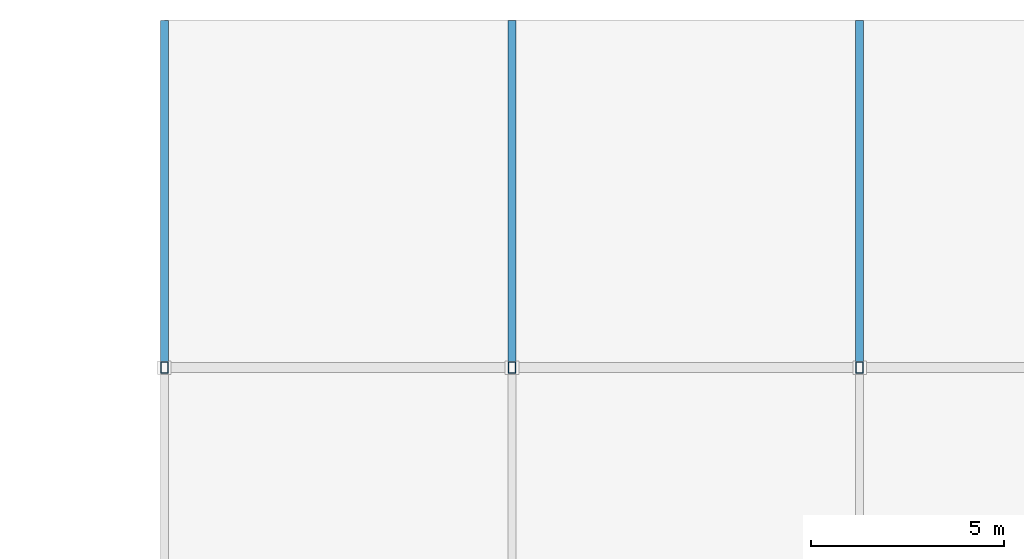
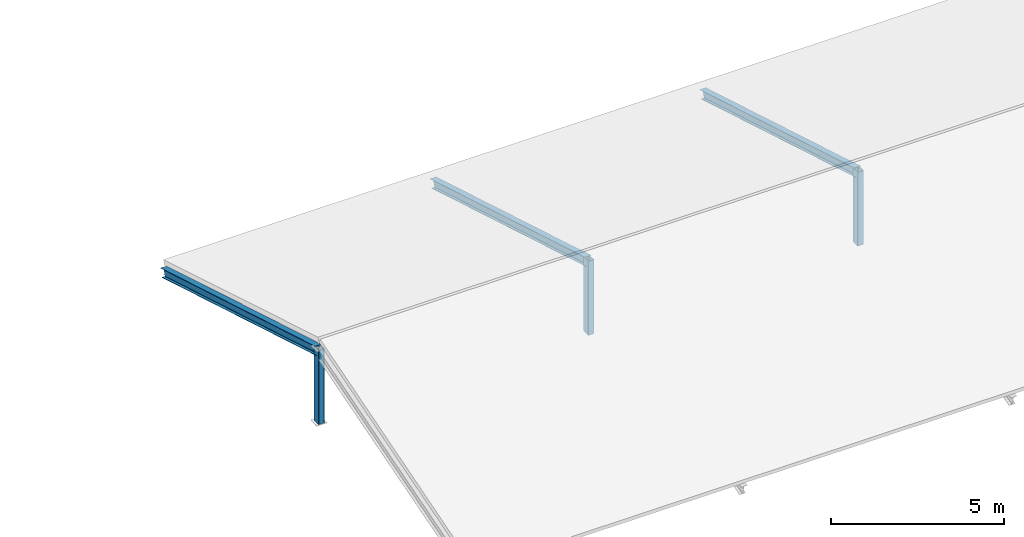
# One storey, part 44 of 68: 6 members.
"""IFC4 building model written with IfcOpenShell, lengths in metres."""

from ifc_helpers import new_model, si_unit, direction, frame, origin, origin_2d, place, context, subcontext, project, spatial, hollow_rectangle, i_section, extrude, material, material_profile, profile_set, type_object, element, save


model = new_model("IFC4")

# Units and contexts
model_context = context("Model", 3, precision=1e-05, world=origin(), true_north=direction((0.0, 1.0)))
body_context = subcontext(model_context, "Body", "Model", "MODEL_VIEW")
ifc_project = project(units=[si_unit("LENGTHUNIT", "METRE"), si_unit("AREAUNIT", "SQUARE_METRE"), si_unit("VOLUMEUNIT", "CUBIC_METRE"), si_unit("PLANEANGLEUNIT", "RADIAN"), si_unit("MASSUNIT", "GRAM", prefix="KILO")], contexts=[model_context])

# Site, building, storey
site_placement = place(None, origin())
site = spatial("IfcSite", under=ifc_project, at=site_placement, CompositionType="ELEMENT")
building_placement = place(site_placement, origin())
building = spatial("IfcBuilding", under=site, at=building_placement, Name="Miravela Opera House", CompositionType="ELEMENT")
storey_placement = place(building_placement, frame((0.0, 0.0, 21.760009765625)))
storey = spatial("IfcBuildingStorey", under=building, at=storey_placement, Name="L05", CompositionType="ELEMENT", Elevation=21.760009765625)

# Members
ifc_material_1 = material(Name="Hollow structural steel ASTM A500 Gr. C", Category="steel")
ifc_material_profile_1 = material_profile(ifc_material_1, hollow_rectangle(XDim=0.199951171875, YDim=0.300048828125, WallThickness=0.011962890625, InnerFilletRadius=0.011962890625, OuterFilletRadius=0.02392578125, at=origin_2d()), Name="HSS300X200X12")
ifc_profile_set_1 = profile_set([ifc_material_profile_1])
member_type_1 = type_object("IfcMemberType", Name="STR-MEM-POST-HSS300X200", PredefinedType="POST", material=ifc_profile_set_1)
for number, where, z_axis, x_axis, name in (
    (1, (63.0, 103.0, -0.25), (0.0, 0.0, 1.0), (1.0, 0.0, 0.0), "Roof Gable King Post ROOF-V3-TOP W"),
    (2, (72.0, 103.0, -0.25), (0.0, 0.0, 1.0), (1.0, 0.0, 0.0), "Roof Ridge Support Post ROOF-V3-TOP M1"),
    (3, (81.0, 103.0, -0.25), (0.0, 0.0, 1.0), (1.0, 0.0, 0.0), "Roof Ridge Support Post ROOF-V3-TOP M2"),
):
    element("IfcMember", number, at=place(storey_placement, frame(where, z_axis=z_axis, x_axis=x_axis)), inside=storey, type_object=member_type_1, Name=name, PredefinedType="POST", context=body_context, shape_type="SweptSolid", body=[
        extrude(hollow_rectangle(XDim=0.199951171875, YDim=0.300048828125, WallThickness=0.011962890625, InnerFilletRadius=0.011962890625, OuterFilletRadius=0.02392578125, at=origin_2d()), origin(), (0.0, 0.0, 1.0), 2.610107421875),
    ])
ifc_material_2 = material(Name="Structural steel ASTM A992 Gr. 50", Category="steel")
ifc_material_profile_2 = material_profile(ifc_material_2, i_section(OverallWidth=0.202880859375, OverallDepth=0.302978515625, WebThickness=0.007568359375, FlangeThickness=0.01318359375, FilletRadius=0.012939453125, at=origin_2d()), Name="W310X60")
ifc_profile_set_2 = profile_set([ifc_material_profile_2])
member_type_2 = type_object("IfcMemberType", Name="STR-MEM-RAFTER-2", PredefinedType="RAFTER", material=ifc_profile_set_2)
for number, where, z_axis, x_axis, name in (
    (4, (63.0, 111.949951171875, -0.39990234375), (0.0, -0.958562219619, 0.284883258756), (1.0, 0.0, 0.0), "Pitched Roof Rafter ROOF-V3-TOP N0"),
    (5, (72.0, 111.949951171875, -0.39990234375), (0.0, -0.958562219619, 0.284883258756), (1.0, 0.0, 0.0), "Pitched Roof Rafter ROOF-V3-TOP N1"),
    (6, (81.0, 111.949951171875, -0.39990234375), (0.0, -0.958562219619, 0.284883258756), (1.0, 0.0, 0.0), "Pitched Roof Rafter ROOF-V3-TOP N2"),
):
    element("IfcMember", number, at=place(storey_placement, frame(where, z_axis=z_axis, x_axis=x_axis)), inside=storey, type_object=member_type_2, Name=name, PredefinedType="RAFTER", context=body_context, shape_type="SweptSolid", body=[
        extrude(i_section(OverallWidth=0.202880859375, OverallDepth=0.302978515625, WebThickness=0.007568359375, FlangeThickness=0.01318359375, FilletRadius=0.012939453125, at=origin_2d()), origin(), (0.0, 0.0, 1.0), 9.3369140625),
    ])

save(model, "model.ifc")
